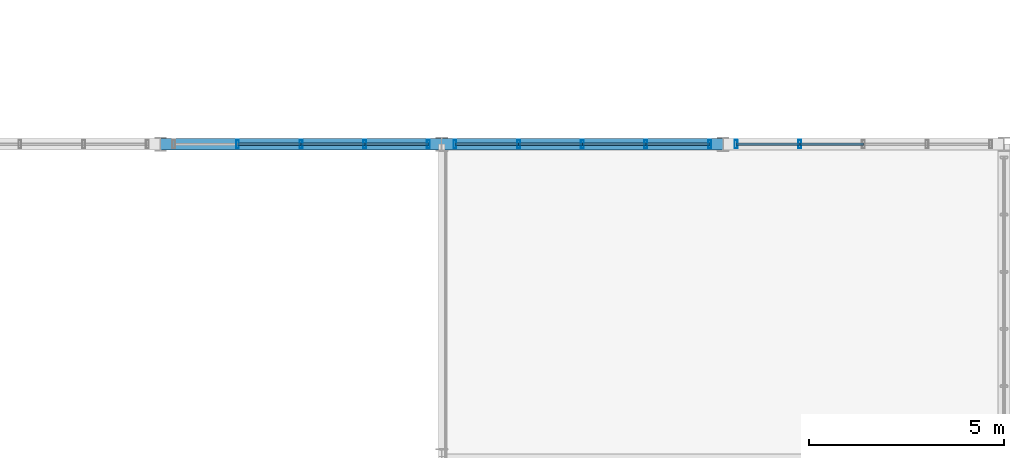
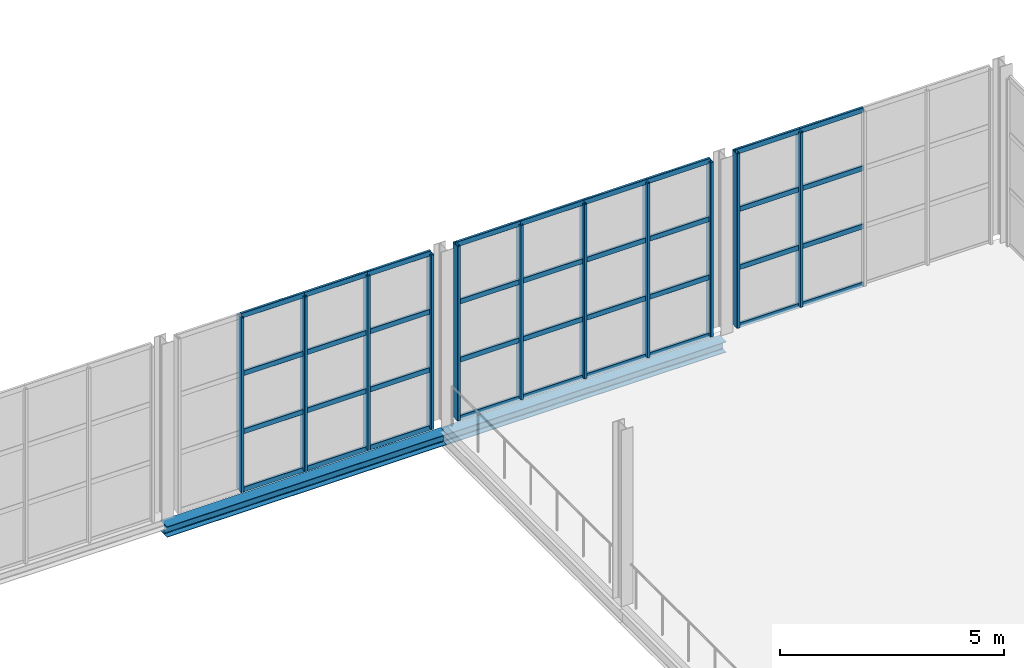
# One storey, part 66 of 143: 47 members, 2 beams, 3 elements without a shape of their own.
"""IFC4 building model written with IfcOpenShell, lengths in metres."""

from ifc_helpers import new_model, si_unit, derived_unit, direction, frame, origin, origin_2d, place, context, subcontext, project, spatial, hollow_rectangle, i_section, extrude, material, material_profile, profile_set, type_object, element, aggregate, save


model = new_model("IFC4")

# Units and contexts
model_context = context("Model", 3, precision=1e-05, world=origin(), true_north=direction((0.0, 1.0)))
body_context = subcontext(model_context, "Body", "Model", "MODEL_VIEW")
ifc_project = project(units=[si_unit("LENGTHUNIT", "METRE"), si_unit("AREAUNIT", "SQUARE_METRE"), si_unit("VOLUMEUNIT", "CUBIC_METRE"), si_unit("PLANEANGLEUNIT", "RADIAN"), si_unit("MASSUNIT", "GRAM", prefix="KILO"), derived_unit("THERMALTRANSMITTANCEUNIT", [(si_unit("POWERUNIT", "WATT"), 1), (si_unit("LENGTHUNIT", "METRE"), -2), (si_unit("THERMODYNAMICTEMPERATUREUNIT", "KELVIN"), -1)])], contexts=[model_context])

# Site, building, storey
site_placement = place(None, origin())
site = spatial("IfcSite", under=ifc_project, at=site_placement, CompositionType="ELEMENT")
building_placement = place(site_placement, origin())
building = spatial("IfcBuilding", under=site, at=building_placement, Name="Keldorne Ridge Multi-Sports Centre", CompositionType="ELEMENT")
storey_placement = place(building_placement, frame((0.0, 0.0, 4.800048828125)))
storey = spatial("IfcBuildingStorey", under=building, at=storey_placement, Name="L01", CompositionType="ELEMENT", Elevation=4.800048828125)

# Beams
ifc_material_1 = material(Name="Steel S355", Category="steel")
ifc_material_profile_1 = material_profile(ifc_material_1, i_section(OverallWidth=0.300048828125, OverallDepth=0.2900390625, WebThickness=0.008544921875, FlangeThickness=0.013916015625, FilletRadius=0.027099609375, at=origin_2d()), Name="HEA 300")
ifc_profile_set_1 = profile_set([ifc_material_profile_1], Name="Steel S355")
beam_type = type_object("IfcBeamType", Name="BM-SP-04", PredefinedType="SPANDREL", material=ifc_profile_set_1)
beam_1_placement = place(storey_placement, frame((20.39990234375, 114.0, -0.3701171875), z_axis=(1.0, 0.0, 0.0), x_axis=(0.0, 1.0, 0.0)))
element("IfcBeam", 1, at=beam_1_placement, inside=storey, type_object=beam_type, Name="Climbing spandrel L01.114.3", PredefinedType="SPANDREL", context=body_context, shape_type="SweptSolid", body=[
    extrude(i_section(OverallWidth=0.300048828125, OverallDepth=0.2900390625, WebThickness=0.008544921875, FlangeThickness=0.013916015625, FilletRadius=0.027099609375, at=origin_2d()), origin(), (0.0, 0.0, 1.0), 7.2001953125),
])
beam_2_placement = place(storey_placement, frame((27.60009765625, 114.0, -0.3701171875), z_axis=(1.0, 0.0, 0.0), x_axis=(0.0, 1.0, 0.0)))
element("IfcBeam", 2, at=beam_2_placement, inside=storey, type_object=beam_type, Name="Climbing spandrel L01.114.4", PredefinedType="SPANDREL", context=body_context, shape_type="SweptSolid", body=[
    extrude(i_section(OverallWidth=0.300048828125, OverallDepth=0.2900390625, WebThickness=0.008544921875, FlangeThickness=0.013916015625, FilletRadius=0.027099609375, at=origin_2d()), origin(), (0.0, 0.0, 1.0), 7.199951171875),
])

# Curtain wall, members
ifc_material_2 = material(Name="Anodized aluminium", Category="aluminium")
curtain_wall_type_1 = type_object("IfcCurtainWallType", Name="CW-CW-06", PredefinedType="NOTDEFINED", material=ifc_material_2)
curtain_wall_1_placement = place(storey_placement, origin())
curtain_wall_1 = element("IfcCurtainWall", 3, at=curtain_wall_1_placement, inside=storey, type_object=curtain_wall_type_1, Name="Climbing north glazing L01 046", PredefinedType="NOTDEFINED")
ifc_material_profile_2 = material_profile(ifc_material_2, hollow_rectangle(XDim=0.074951171875, YDim=0.219970703125, WallThickness=0.0048828125, InnerFilletRadius=0.0048828125, OuterFilletRadius=0.010009765625, at=origin_2d()), Name="ALU MULLION 220x75x5")
ifc_profile_set_2 = profile_set([ifc_material_profile_2], Name="Anodized aluminium")
member_type_1 = type_object("IfcMemberType", Name="MEM-ML-02", PredefinedType="MULLION", material=ifc_profile_set_2)
member_1_placement = place(storey_placement, frame((27.260009765625, 114.0, 0.0), z_axis=(0.0, 0.0, 1.0), x_axis=(1.0, 0.0, 0.0)))
member_1 = element("IfcMember", 4, at=member_1_placement, type_object=member_type_1, Name="CW-046 vertical mullion 1", PredefinedType="MULLION", context=body_context, shape_type="SweptSolid", body=[
    extrude(hollow_rectangle(XDim=0.074951171875, YDim=0.219970703125, WallThickness=0.0048828125, InnerFilletRadius=0.0048828125, OuterFilletRadius=0.010009765625, at=origin_2d()), origin(), (0.0, 0.0, 1.0), 4.75),
])
member_2_placement = place(storey_placement, frame((25.6298828125, 114.0, 0.0), z_axis=(0.0, 0.0, 1.0), x_axis=(1.0, 0.0, 0.0)))
member_2 = element("IfcMember", 5, at=member_2_placement, type_object=member_type_1, Name="CW-046 vertical mullion 2", PredefinedType="MULLION", context=body_context, shape_type="SweptSolid", body=[
    extrude(hollow_rectangle(XDim=0.074951171875, YDim=0.219970703125, WallThickness=0.0048828125, InnerFilletRadius=0.0048828125, OuterFilletRadius=0.010009765625, at=origin_2d()), origin(), (0.0, 0.0, 1.0), 4.75),
])
member_3_placement = place(storey_placement, frame((24.0, 114.0, 0.0), z_axis=(0.0, 0.0, 1.0), x_axis=(1.0, 0.0, 0.0)))
member_3 = element("IfcMember", 6, at=member_3_placement, type_object=member_type_1, Name="CW-046 vertical mullion 3", PredefinedType="MULLION", context=body_context, shape_type="SweptSolid", body=[
    extrude(hollow_rectangle(XDim=0.074951171875, YDim=0.219970703125, WallThickness=0.0048828125, InnerFilletRadius=0.0048828125, OuterFilletRadius=0.010009765625, at=origin_2d()), origin(), (0.0, 0.0, 1.0), 4.75),
])
member_4_placement = place(storey_placement, frame((22.3701171875, 114.0, 0.0), z_axis=(0.0, 0.0, 1.0), x_axis=(1.0, 0.0, 0.0)))
member_4 = element("IfcMember", 7, at=member_4_placement, type_object=member_type_1, Name="CW-046 vertical mullion 4", PredefinedType="MULLION", context=body_context, shape_type="SweptSolid", body=[
    extrude(hollow_rectangle(XDim=0.074951171875, YDim=0.219970703125, WallThickness=0.0048828125, InnerFilletRadius=0.0048828125, OuterFilletRadius=0.010009765625, at=origin_2d()), origin(), (0.0, 0.0, 1.0), 4.75),
])

curtain_wall_type_2 = type_object("IfcCurtainWallType", Name="CW-CW-02", PredefinedType="NOTDEFINED", material=ifc_material_2)
curtain_wall_2_placement = place(storey_placement, origin())
curtain_wall_2 = element("IfcCurtainWall", 8, at=curtain_wall_2_placement, inside=storey, type_object=curtain_wall_type_2, Name="Climbing north glazing L01 050", PredefinedType="NOTDEFINED")
member_5_placement = place(storey_placement, frame((34.4599609375, 114.0, 0.0), z_axis=(0.0, 0.0, 1.0), x_axis=(1.0, 0.0, 0.0)))
member_5 = element("IfcMember", 9, at=member_5_placement, type_object=member_type_1, Name="CW-050 vertical mullion 1", PredefinedType="MULLION", context=body_context, shape_type="SweptSolid", body=[
    extrude(hollow_rectangle(XDim=0.074951171875, YDim=0.219970703125, WallThickness=0.0048828125, InnerFilletRadius=0.0048828125, OuterFilletRadius=0.010009765625, at=origin_2d()), origin(), (0.0, 0.0, 1.0), 4.75),
])
member_6_placement = place(storey_placement, frame((32.830078125, 114.0, 0.0), z_axis=(0.0, 0.0, 1.0), x_axis=(1.0, 0.0, 0.0)))
member_6 = element("IfcMember", 10, at=member_6_placement, type_object=member_type_1, Name="CW-050 vertical mullion 2", PredefinedType="MULLION", context=body_context, shape_type="SweptSolid", body=[
    extrude(hollow_rectangle(XDim=0.074951171875, YDim=0.219970703125, WallThickness=0.0048828125, InnerFilletRadius=0.0048828125, OuterFilletRadius=0.010009765625, at=origin_2d()), origin(), (0.0, 0.0, 1.0), 4.75),
])
member_7_placement = place(storey_placement, frame((31.199951171875, 114.0, 0.0), z_axis=(0.0, 0.0, 1.0), x_axis=(1.0, 0.0, 0.0)))
member_7 = element("IfcMember", 11, at=member_7_placement, type_object=member_type_1, Name="CW-050 vertical mullion 3", PredefinedType="MULLION", context=body_context, shape_type="SweptSolid", body=[
    extrude(hollow_rectangle(XDim=0.074951171875, YDim=0.219970703125, WallThickness=0.0048828125, InnerFilletRadius=0.0048828125, OuterFilletRadius=0.010009765625, at=origin_2d()), origin(), (0.0, 0.0, 1.0), 4.75),
])
member_8_placement = place(storey_placement, frame((29.570068359375, 114.0, 0.0), z_axis=(0.0, 0.0, 1.0), x_axis=(1.0, 0.0, 0.0)))
member_8 = element("IfcMember", 12, at=member_8_placement, type_object=member_type_1, Name="CW-050 vertical mullion 4", PredefinedType="MULLION", context=body_context, shape_type="SweptSolid", body=[
    extrude(hollow_rectangle(XDim=0.074951171875, YDim=0.219970703125, WallThickness=0.0048828125, InnerFilletRadius=0.0048828125, OuterFilletRadius=0.010009765625, at=origin_2d()), origin(), (0.0, 0.0, 1.0), 4.75),
])
member_9_placement = place(storey_placement, frame((27.93994140625, 114.0, 0.0), z_axis=(0.0, 0.0, 1.0), x_axis=(1.0, 0.0, 0.0)))
member_9 = element("IfcMember", 13, at=member_9_placement, type_object=member_type_1, Name="CW-050 vertical mullion 5", PredefinedType="MULLION", context=body_context, shape_type="SweptSolid", body=[
    extrude(hollow_rectangle(XDim=0.074951171875, YDim=0.219970703125, WallThickness=0.0048828125, InnerFilletRadius=0.0048828125, OuterFilletRadius=0.010009765625, at=origin_2d()), origin(), (0.0, 0.0, 1.0), 4.75),
])

curtain_wall_type_3 = type_object("IfcCurtainWallType", Name="CW-CW-08", PredefinedType="NOTDEFINED", material=ifc_material_2)
curtain_wall_3_placement = place(storey_placement, origin())
curtain_wall_3 = element("IfcCurtainWall", 14, at=curtain_wall_3_placement, inside=storey, type_object=curtain_wall_type_3, Name="Climbing north glazing L01 056", PredefinedType="NOTDEFINED")
member_10_placement = place(storey_placement, frame((36.77001953125, 114.0, 0.0), z_axis=(0.0, 0.0, 1.0), x_axis=(1.0, 0.0, 0.0)))
member_10 = element("IfcMember", 15, at=member_10_placement, type_object=member_type_1, Name="CW-056 vertical mullion 4", PredefinedType="MULLION", context=body_context, shape_type="SweptSolid", body=[
    extrude(hollow_rectangle(XDim=0.074951171875, YDim=0.219970703125, WallThickness=0.0048828125, InnerFilletRadius=0.0048828125, OuterFilletRadius=0.010009765625, at=origin_2d()), origin(), (0.0, 0.0, 1.0), 4.75),
])
member_11_placement = place(storey_placement, frame((35.139892578125, 114.0, 0.0), z_axis=(0.0, 0.0, 1.0), x_axis=(1.0, 0.0, 0.0)))
member_11 = element("IfcMember", 16, at=member_11_placement, type_object=member_type_1, Name="CW-056 vertical mullion 5", PredefinedType="MULLION", context=body_context, shape_type="SweptSolid", body=[
    extrude(hollow_rectangle(XDim=0.074951171875, YDim=0.219970703125, WallThickness=0.0048828125, InnerFilletRadius=0.0048828125, OuterFilletRadius=0.010009765625, at=origin_2d()), origin(), (0.0, 0.0, 1.0), 4.75),
])

# Member
ifc_material_profile_3 = material_profile(ifc_material_2, hollow_rectangle(XDim=0.06494140625, YDim=0.139892578125, WallThickness=0.00439453125, InnerFilletRadius=0.00439453125, OuterFilletRadius=0.009033203125, at=origin_2d()), Name="ALU TRANSOM 140x65x4.5")
ifc_profile_set_3 = profile_set([ifc_material_profile_3], Name="Anodized aluminium")
member_type_2 = type_object("IfcMemberType", Name="MEM-TR-01", PredefinedType="USERDEFINED", material=ifc_profile_set_3)
member_12_placement = place(storey_placement, frame((27.260009765625, 114.0, 0.0), z_axis=(-1.0, 0.0, 0.0), x_axis=(0.0, -1.0, 0.0)))
member_12 = element("IfcMember", 17, at=member_12_placement, type_object=member_type_2, Name="CW-046 transom 1.1", ObjectType="TRANSOM", PredefinedType="USERDEFINED", context=body_context, shape_type="SweptSolid", body=[
    extrude(hollow_rectangle(XDim=0.06494140625, YDim=0.139892578125, WallThickness=0.00439453125, InnerFilletRadius=0.00439453125, OuterFilletRadius=0.009033203125, at=origin_2d()), origin(), (0.0, 0.0, 1.0), 1.630126953125),
])

member_13_placement = place(storey_placement, frame((27.260009765625, 114.0, 1.583251953125), z_axis=(-1.0, 0.0, 0.0), x_axis=(0.0, -1.0, 0.0)))
member_13 = element("IfcMember", 18, at=member_13_placement, type_object=member_type_2, Name="CW-046 transom 1.2", ObjectType="TRANSOM", PredefinedType="USERDEFINED", context=body_context, shape_type="SweptSolid", body=[
    extrude(hollow_rectangle(XDim=0.06494140625, YDim=0.139892578125, WallThickness=0.00439453125, InnerFilletRadius=0.00439453125, OuterFilletRadius=0.009033203125, at=origin_2d()), origin(), (0.0, 0.0, 1.0), 1.630126953125),
])

member_14_placement = place(storey_placement, frame((27.260009765625, 114.0, 3.166748046875), z_axis=(-1.0, 0.0, 0.0), x_axis=(0.0, -1.0, 0.0)))
member_14 = element("IfcMember", 19, at=member_14_placement, type_object=member_type_2, Name="CW-046 transom 1.3", ObjectType="TRANSOM", PredefinedType="USERDEFINED", context=body_context, shape_type="SweptSolid", body=[
    extrude(hollow_rectangle(XDim=0.06494140625, YDim=0.139892578125, WallThickness=0.00439453125, InnerFilletRadius=0.00439453125, OuterFilletRadius=0.009033203125, at=origin_2d()), origin(), (0.0, 0.0, 1.0), 1.630126953125),
])

member_15_placement = place(storey_placement, frame((27.260009765625, 114.0, 4.75), z_axis=(-1.0, 0.0, 0.0), x_axis=(0.0, -1.0, 0.0)))
member_15 = element("IfcMember", 20, at=member_15_placement, type_object=member_type_2, Name="CW-046 transom 1.4", ObjectType="TRANSOM", PredefinedType="USERDEFINED", context=body_context, shape_type="SweptSolid", body=[
    extrude(hollow_rectangle(XDim=0.06494140625, YDim=0.139892578125, WallThickness=0.00439453125, InnerFilletRadius=0.00439453125, OuterFilletRadius=0.009033203125, at=origin_2d()), origin(), (0.0, 0.0, 1.0), 1.630126953125),
])

member_16_placement = place(storey_placement, frame((25.6298828125, 114.0, 0.0), z_axis=(-1.0, 0.0, 0.0), x_axis=(0.0, -1.0, 0.0)))
member_16 = element("IfcMember", 21, at=member_16_placement, type_object=member_type_2, Name="CW-046 transom 2.1", ObjectType="TRANSOM", PredefinedType="USERDEFINED", context=body_context, shape_type="SweptSolid", body=[
    extrude(hollow_rectangle(XDim=0.06494140625, YDim=0.139892578125, WallThickness=0.00439453125, InnerFilletRadius=0.00439453125, OuterFilletRadius=0.009033203125, at=origin_2d()), origin(), (0.0, 0.0, 1.0), 1.6298828125),
])

member_17_placement = place(storey_placement, frame((25.6298828125, 114.0, 1.583251953125), z_axis=(-1.0, 0.0, 0.0), x_axis=(0.0, -1.0, 0.0)))
member_17 = element("IfcMember", 22, at=member_17_placement, type_object=member_type_2, Name="CW-046 transom 2.2", ObjectType="TRANSOM", PredefinedType="USERDEFINED", context=body_context, shape_type="SweptSolid", body=[
    extrude(hollow_rectangle(XDim=0.06494140625, YDim=0.139892578125, WallThickness=0.00439453125, InnerFilletRadius=0.00439453125, OuterFilletRadius=0.009033203125, at=origin_2d()), origin(), (0.0, 0.0, 1.0), 1.6298828125),
])

member_18_placement = place(storey_placement, frame((25.6298828125, 114.0, 3.166748046875), z_axis=(-1.0, 0.0, 0.0), x_axis=(0.0, -1.0, 0.0)))
member_18 = element("IfcMember", 23, at=member_18_placement, type_object=member_type_2, Name="CW-046 transom 2.3", ObjectType="TRANSOM", PredefinedType="USERDEFINED", context=body_context, shape_type="SweptSolid", body=[
    extrude(hollow_rectangle(XDim=0.06494140625, YDim=0.139892578125, WallThickness=0.00439453125, InnerFilletRadius=0.00439453125, OuterFilletRadius=0.009033203125, at=origin_2d()), origin(), (0.0, 0.0, 1.0), 1.6298828125),
])

member_19_placement = place(storey_placement, frame((25.6298828125, 114.0, 4.75), z_axis=(-1.0, 0.0, 0.0), x_axis=(0.0, -1.0, 0.0)))
member_19 = element("IfcMember", 24, at=member_19_placement, type_object=member_type_2, Name="CW-046 transom 2.4", ObjectType="TRANSOM", PredefinedType="USERDEFINED", context=body_context, shape_type="SweptSolid", body=[
    extrude(hollow_rectangle(XDim=0.06494140625, YDim=0.139892578125, WallThickness=0.00439453125, InnerFilletRadius=0.00439453125, OuterFilletRadius=0.009033203125, at=origin_2d()), origin(), (0.0, 0.0, 1.0), 1.6298828125),
])

member_20_placement = place(storey_placement, frame((24.0, 114.0, 0.0), z_axis=(-1.0, 0.0, 0.0), x_axis=(0.0, -1.0, 0.0)))
member_20 = element("IfcMember", 25, at=member_20_placement, type_object=member_type_2, Name="CW-046 transom 3.1", ObjectType="TRANSOM", PredefinedType="USERDEFINED", context=body_context, shape_type="SweptSolid", body=[
    extrude(hollow_rectangle(XDim=0.06494140625, YDim=0.139892578125, WallThickness=0.00439453125, InnerFilletRadius=0.00439453125, OuterFilletRadius=0.009033203125, at=origin_2d()), origin(), (0.0, 0.0, 1.0), 1.6298828125),
])

member_21_placement = place(storey_placement, frame((24.0, 114.0, 1.583251953125), z_axis=(-1.0, 0.0, 0.0), x_axis=(0.0, -1.0, 0.0)))
member_21 = element("IfcMember", 26, at=member_21_placement, type_object=member_type_2, Name="CW-046 transom 3.2", ObjectType="TRANSOM", PredefinedType="USERDEFINED", context=body_context, shape_type="SweptSolid", body=[
    extrude(hollow_rectangle(XDim=0.06494140625, YDim=0.139892578125, WallThickness=0.00439453125, InnerFilletRadius=0.00439453125, OuterFilletRadius=0.009033203125, at=origin_2d()), origin(), (0.0, 0.0, 1.0), 1.6298828125),
])

member_22_placement = place(storey_placement, frame((24.0, 114.0, 3.166748046875), z_axis=(-1.0, 0.0, 0.0), x_axis=(0.0, -1.0, 0.0)))
member_22 = element("IfcMember", 27, at=member_22_placement, type_object=member_type_2, Name="CW-046 transom 3.3", ObjectType="TRANSOM", PredefinedType="USERDEFINED", context=body_context, shape_type="SweptSolid", body=[
    extrude(hollow_rectangle(XDim=0.06494140625, YDim=0.139892578125, WallThickness=0.00439453125, InnerFilletRadius=0.00439453125, OuterFilletRadius=0.009033203125, at=origin_2d()), origin(), (0.0, 0.0, 1.0), 1.6298828125),
])

member_23_placement = place(storey_placement, frame((24.0, 114.0, 4.75), z_axis=(-1.0, 0.0, 0.0), x_axis=(0.0, -1.0, 0.0)))
member_23 = element("IfcMember", 28, at=member_23_placement, type_object=member_type_2, Name="CW-046 transom 3.4", ObjectType="TRANSOM", PredefinedType="USERDEFINED", context=body_context, shape_type="SweptSolid", body=[
    extrude(hollow_rectangle(XDim=0.06494140625, YDim=0.139892578125, WallThickness=0.00439453125, InnerFilletRadius=0.00439453125, OuterFilletRadius=0.009033203125, at=origin_2d()), origin(), (0.0, 0.0, 1.0), 1.6298828125),
])

aggregate(curtain_wall_1, [member_1, member_2, member_3, member_4, member_12, member_13, member_14, member_15, member_16, member_17, member_18, member_19, member_20, member_21, member_22, member_23])

member_24_placement = place(storey_placement, frame((34.4599609375, 114.0, 0.0), z_axis=(-1.0, 0.0, 0.0), x_axis=(0.0, -1.0, 0.0)))
member_24 = element("IfcMember", 29, at=member_24_placement, type_object=member_type_2, Name="CW-050 transom 1.1", ObjectType="TRANSOM", PredefinedType="USERDEFINED", context=body_context, shape_type="SweptSolid", body=[
    extrude(hollow_rectangle(XDim=0.06494140625, YDim=0.139892578125, WallThickness=0.00439453125, InnerFilletRadius=0.00439453125, OuterFilletRadius=0.009033203125, at=origin_2d()), origin(), (0.0, 0.0, 1.0), 1.6298828125),
])

member_25_placement = place(storey_placement, frame((34.4599609375, 114.0, 1.583251953125), z_axis=(-1.0, 0.0, 0.0), x_axis=(0.0, -1.0, 0.0)))
member_25 = element("IfcMember", 30, at=member_25_placement, type_object=member_type_2, Name="CW-050 transom 1.2", ObjectType="TRANSOM", PredefinedType="USERDEFINED", context=body_context, shape_type="SweptSolid", body=[
    extrude(hollow_rectangle(XDim=0.06494140625, YDim=0.139892578125, WallThickness=0.00439453125, InnerFilletRadius=0.00439453125, OuterFilletRadius=0.009033203125, at=origin_2d()), origin(), (0.0, 0.0, 1.0), 1.6298828125),
])

member_26_placement = place(storey_placement, frame((34.4599609375, 114.0, 3.166748046875), z_axis=(-1.0, 0.0, 0.0), x_axis=(0.0, -1.0, 0.0)))
member_26 = element("IfcMember", 31, at=member_26_placement, type_object=member_type_2, Name="CW-050 transom 1.3", ObjectType="TRANSOM", PredefinedType="USERDEFINED", context=body_context, shape_type="SweptSolid", body=[
    extrude(hollow_rectangle(XDim=0.06494140625, YDim=0.139892578125, WallThickness=0.00439453125, InnerFilletRadius=0.00439453125, OuterFilletRadius=0.009033203125, at=origin_2d()), origin(), (0.0, 0.0, 1.0), 1.6298828125),
])

member_27_placement = place(storey_placement, frame((34.4599609375, 114.0, 4.75), z_axis=(-1.0, 0.0, 0.0), x_axis=(0.0, -1.0, 0.0)))
member_27 = element("IfcMember", 32, at=member_27_placement, type_object=member_type_2, Name="CW-050 transom 1.4", ObjectType="TRANSOM", PredefinedType="USERDEFINED", context=body_context, shape_type="SweptSolid", body=[
    extrude(hollow_rectangle(XDim=0.06494140625, YDim=0.139892578125, WallThickness=0.00439453125, InnerFilletRadius=0.00439453125, OuterFilletRadius=0.009033203125, at=origin_2d()), origin(), (0.0, 0.0, 1.0), 1.6298828125),
])

member_28_placement = place(storey_placement, frame((32.830078125, 114.0, 0.0), z_axis=(-1.0, 0.0, 0.0), x_axis=(0.0, -1.0, 0.0)))
member_28 = element("IfcMember", 33, at=member_28_placement, type_object=member_type_2, Name="CW-050 transom 2.1", ObjectType="TRANSOM", PredefinedType="USERDEFINED", context=body_context, shape_type="SweptSolid", body=[
    extrude(hollow_rectangle(XDim=0.06494140625, YDim=0.139892578125, WallThickness=0.00439453125, InnerFilletRadius=0.00439453125, OuterFilletRadius=0.009033203125, at=origin_2d()), origin(), (0.0, 0.0, 1.0), 1.630126953125),
])

member_29_placement = place(storey_placement, frame((32.830078125, 114.0, 1.583251953125), z_axis=(-1.0, 0.0, 0.0), x_axis=(0.0, -1.0, 0.0)))
member_29 = element("IfcMember", 34, at=member_29_placement, type_object=member_type_2, Name="CW-050 transom 2.2", ObjectType="TRANSOM", PredefinedType="USERDEFINED", context=body_context, shape_type="SweptSolid", body=[
    extrude(hollow_rectangle(XDim=0.06494140625, YDim=0.139892578125, WallThickness=0.00439453125, InnerFilletRadius=0.00439453125, OuterFilletRadius=0.009033203125, at=origin_2d()), origin(), (0.0, 0.0, 1.0), 1.630126953125),
])

member_30_placement = place(storey_placement, frame((32.830078125, 114.0, 3.166748046875), z_axis=(-1.0, 0.0, 0.0), x_axis=(0.0, -1.0, 0.0)))
member_30 = element("IfcMember", 35, at=member_30_placement, type_object=member_type_2, Name="CW-050 transom 2.3", ObjectType="TRANSOM", PredefinedType="USERDEFINED", context=body_context, shape_type="SweptSolid", body=[
    extrude(hollow_rectangle(XDim=0.06494140625, YDim=0.139892578125, WallThickness=0.00439453125, InnerFilletRadius=0.00439453125, OuterFilletRadius=0.009033203125, at=origin_2d()), origin(), (0.0, 0.0, 1.0), 1.630126953125),
])

member_31_placement = place(storey_placement, frame((32.830078125, 114.0, 4.75), z_axis=(-1.0, 0.0, 0.0), x_axis=(0.0, -1.0, 0.0)))
member_31 = element("IfcMember", 36, at=member_31_placement, type_object=member_type_2, Name="CW-050 transom 2.4", ObjectType="TRANSOM", PredefinedType="USERDEFINED", context=body_context, shape_type="SweptSolid", body=[
    extrude(hollow_rectangle(XDim=0.06494140625, YDim=0.139892578125, WallThickness=0.00439453125, InnerFilletRadius=0.00439453125, OuterFilletRadius=0.009033203125, at=origin_2d()), origin(), (0.0, 0.0, 1.0), 1.630126953125),
])

member_32_placement = place(storey_placement, frame((31.199951171875, 114.0, 0.0), z_axis=(-1.0, 0.0, 0.0), x_axis=(0.0, -1.0, 0.0)))
member_32 = element("IfcMember", 37, at=member_32_placement, type_object=member_type_2, Name="CW-050 transom 3.1", ObjectType="TRANSOM", PredefinedType="USERDEFINED", context=body_context, shape_type="SweptSolid", body=[
    extrude(hollow_rectangle(XDim=0.06494140625, YDim=0.139892578125, WallThickness=0.00439453125, InnerFilletRadius=0.00439453125, OuterFilletRadius=0.009033203125, at=origin_2d()), origin(), (0.0, 0.0, 1.0), 1.6298828125),
])

member_33_placement = place(storey_placement, frame((31.199951171875, 114.0, 1.583251953125), z_axis=(-1.0, 0.0, 0.0), x_axis=(0.0, -1.0, 0.0)))
member_33 = element("IfcMember", 38, at=member_33_placement, type_object=member_type_2, Name="CW-050 transom 3.2", ObjectType="TRANSOM", PredefinedType="USERDEFINED", context=body_context, shape_type="SweptSolid", body=[
    extrude(hollow_rectangle(XDim=0.06494140625, YDim=0.139892578125, WallThickness=0.00439453125, InnerFilletRadius=0.00439453125, OuterFilletRadius=0.009033203125, at=origin_2d()), origin(), (0.0, 0.0, 1.0), 1.6298828125),
])

member_34_placement = place(storey_placement, frame((31.199951171875, 114.0, 3.166748046875), z_axis=(-1.0, 0.0, 0.0), x_axis=(0.0, -1.0, 0.0)))
member_34 = element("IfcMember", 39, at=member_34_placement, type_object=member_type_2, Name="CW-050 transom 3.3", ObjectType="TRANSOM", PredefinedType="USERDEFINED", context=body_context, shape_type="SweptSolid", body=[
    extrude(hollow_rectangle(XDim=0.06494140625, YDim=0.139892578125, WallThickness=0.00439453125, InnerFilletRadius=0.00439453125, OuterFilletRadius=0.009033203125, at=origin_2d()), origin(), (0.0, 0.0, 1.0), 1.6298828125),
])

member_35_placement = place(storey_placement, frame((31.199951171875, 114.0, 4.75), z_axis=(-1.0, 0.0, 0.0), x_axis=(0.0, -1.0, 0.0)))
member_35 = element("IfcMember", 40, at=member_35_placement, type_object=member_type_2, Name="CW-050 transom 3.4", ObjectType="TRANSOM", PredefinedType="USERDEFINED", context=body_context, shape_type="SweptSolid", body=[
    extrude(hollow_rectangle(XDim=0.06494140625, YDim=0.139892578125, WallThickness=0.00439453125, InnerFilletRadius=0.00439453125, OuterFilletRadius=0.009033203125, at=origin_2d()), origin(), (0.0, 0.0, 1.0), 1.6298828125),
])

member_36_placement = place(storey_placement, frame((29.570068359375, 114.0, 0.0), z_axis=(-1.0, 0.0, 0.0), x_axis=(0.0, -1.0, 0.0)))
member_36 = element("IfcMember", 41, at=member_36_placement, type_object=member_type_2, Name="CW-050 transom 4.1", ObjectType="TRANSOM", PredefinedType="USERDEFINED", context=body_context, shape_type="SweptSolid", body=[
    extrude(hollow_rectangle(XDim=0.06494140625, YDim=0.139892578125, WallThickness=0.00439453125, InnerFilletRadius=0.00439453125, OuterFilletRadius=0.009033203125, at=origin_2d()), origin(), (0.0, 0.0, 1.0), 1.630126953125),
])

member_37_placement = place(storey_placement, frame((29.570068359375, 114.0, 1.583251953125), z_axis=(-1.0, 0.0, 0.0), x_axis=(0.0, -1.0, 0.0)))
member_37 = element("IfcMember", 42, at=member_37_placement, type_object=member_type_2, Name="CW-050 transom 4.2", ObjectType="TRANSOM", PredefinedType="USERDEFINED", context=body_context, shape_type="SweptSolid", body=[
    extrude(hollow_rectangle(XDim=0.06494140625, YDim=0.139892578125, WallThickness=0.00439453125, InnerFilletRadius=0.00439453125, OuterFilletRadius=0.009033203125, at=origin_2d()), origin(), (0.0, 0.0, 1.0), 1.630126953125),
])

member_38_placement = place(storey_placement, frame((29.570068359375, 114.0, 3.166748046875), z_axis=(-1.0, 0.0, 0.0), x_axis=(0.0, -1.0, 0.0)))
member_38 = element("IfcMember", 43, at=member_38_placement, type_object=member_type_2, Name="CW-050 transom 4.3", ObjectType="TRANSOM", PredefinedType="USERDEFINED", context=body_context, shape_type="SweptSolid", body=[
    extrude(hollow_rectangle(XDim=0.06494140625, YDim=0.139892578125, WallThickness=0.00439453125, InnerFilletRadius=0.00439453125, OuterFilletRadius=0.009033203125, at=origin_2d()), origin(), (0.0, 0.0, 1.0), 1.630126953125),
])

member_39_placement = place(storey_placement, frame((29.570068359375, 114.0, 4.75), z_axis=(-1.0, 0.0, 0.0), x_axis=(0.0, -1.0, 0.0)))
member_39 = element("IfcMember", 44, at=member_39_placement, type_object=member_type_2, Name="CW-050 transom 4.4", ObjectType="TRANSOM", PredefinedType="USERDEFINED", context=body_context, shape_type="SweptSolid", body=[
    extrude(hollow_rectangle(XDim=0.06494140625, YDim=0.139892578125, WallThickness=0.00439453125, InnerFilletRadius=0.00439453125, OuterFilletRadius=0.009033203125, at=origin_2d()), origin(), (0.0, 0.0, 1.0), 1.630126953125),
])

aggregate(curtain_wall_2, [member_5, member_6, member_7, member_8, member_9, member_24, member_25, member_26, member_27, member_28, member_29, member_30, member_31, member_32, member_33, member_34, member_35, member_36, member_37, member_38, member_39])

member_40_placement = place(storey_placement, frame((38.39990234375, 114.0, 0.0), z_axis=(-1.0, 0.0, 0.0), x_axis=(0.0, -1.0, 0.0)))
member_40 = element("IfcMember", 45, at=member_40_placement, type_object=member_type_2, Name="CW-056 transom 3.1", ObjectType="TRANSOM", PredefinedType="USERDEFINED", context=body_context, shape_type="SweptSolid", body=[
    extrude(hollow_rectangle(XDim=0.06494140625, YDim=0.139892578125, WallThickness=0.00439453125, InnerFilletRadius=0.00439453125, OuterFilletRadius=0.009033203125, at=origin_2d()), origin(), (0.0, 0.0, 1.0), 1.6298828125),
])

member_41_placement = place(storey_placement, frame((38.39990234375, 114.0, 1.583251953125), z_axis=(-1.0, 0.0, 0.0), x_axis=(0.0, -1.0, 0.0)))
member_41 = element("IfcMember", 46, at=member_41_placement, type_object=member_type_2, Name="CW-056 transom 3.2", ObjectType="TRANSOM", PredefinedType="USERDEFINED", context=body_context, shape_type="SweptSolid", body=[
    extrude(hollow_rectangle(XDim=0.06494140625, YDim=0.139892578125, WallThickness=0.00439453125, InnerFilletRadius=0.00439453125, OuterFilletRadius=0.009033203125, at=origin_2d()), origin(), (0.0, 0.0, 1.0), 1.6298828125),
])

member_42_placement = place(storey_placement, frame((38.39990234375, 114.0, 3.166748046875), z_axis=(-1.0, 0.0, 0.0), x_axis=(0.0, -1.0, 0.0)))
member_42 = element("IfcMember", 47, at=member_42_placement, type_object=member_type_2, Name="CW-056 transom 3.3", ObjectType="TRANSOM", PredefinedType="USERDEFINED", context=body_context, shape_type="SweptSolid", body=[
    extrude(hollow_rectangle(XDim=0.06494140625, YDim=0.139892578125, WallThickness=0.00439453125, InnerFilletRadius=0.00439453125, OuterFilletRadius=0.009033203125, at=origin_2d()), origin(), (0.0, 0.0, 1.0), 1.6298828125),
])

member_43_placement = place(storey_placement, frame((38.39990234375, 114.0, 4.75), z_axis=(-1.0, 0.0, 0.0), x_axis=(0.0, -1.0, 0.0)))
member_43 = element("IfcMember", 48, at=member_43_placement, type_object=member_type_2, Name="CW-056 transom 3.4", ObjectType="TRANSOM", PredefinedType="USERDEFINED", context=body_context, shape_type="SweptSolid", body=[
    extrude(hollow_rectangle(XDim=0.06494140625, YDim=0.139892578125, WallThickness=0.00439453125, InnerFilletRadius=0.00439453125, OuterFilletRadius=0.009033203125, at=origin_2d()), origin(), (0.0, 0.0, 1.0), 1.6298828125),
])

member_44_placement = place(storey_placement, frame((36.77001953125, 114.0, 0.0), z_axis=(-1.0, 0.0, 0.0), x_axis=(0.0, -1.0, 0.0)))
member_44 = element("IfcMember", 49, at=member_44_placement, type_object=member_type_2, Name="CW-056 transom 4.1", ObjectType="TRANSOM", PredefinedType="USERDEFINED", context=body_context, shape_type="SweptSolid", body=[
    extrude(hollow_rectangle(XDim=0.06494140625, YDim=0.139892578125, WallThickness=0.00439453125, InnerFilletRadius=0.00439453125, OuterFilletRadius=0.009033203125, at=origin_2d()), origin(), (0.0, 0.0, 1.0), 1.630126953125),
])

member_45_placement = place(storey_placement, frame((36.77001953125, 114.0, 1.583251953125), z_axis=(-1.0, 0.0, 0.0), x_axis=(0.0, -1.0, 0.0)))
member_45 = element("IfcMember", 50, at=member_45_placement, type_object=member_type_2, Name="CW-056 transom 4.2", ObjectType="TRANSOM", PredefinedType="USERDEFINED", context=body_context, shape_type="SweptSolid", body=[
    extrude(hollow_rectangle(XDim=0.06494140625, YDim=0.139892578125, WallThickness=0.00439453125, InnerFilletRadius=0.00439453125, OuterFilletRadius=0.009033203125, at=origin_2d()), origin(), (0.0, 0.0, 1.0), 1.630126953125),
])

member_46_placement = place(storey_placement, frame((36.77001953125, 114.0, 3.166748046875), z_axis=(-1.0, 0.0, 0.0), x_axis=(0.0, -1.0, 0.0)))
member_46 = element("IfcMember", 51, at=member_46_placement, type_object=member_type_2, Name="CW-056 transom 4.3", ObjectType="TRANSOM", PredefinedType="USERDEFINED", context=body_context, shape_type="SweptSolid", body=[
    extrude(hollow_rectangle(XDim=0.06494140625, YDim=0.139892578125, WallThickness=0.00439453125, InnerFilletRadius=0.00439453125, OuterFilletRadius=0.009033203125, at=origin_2d()), origin(), (0.0, 0.0, 1.0), 1.630126953125),
])

member_47_placement = place(storey_placement, frame((36.77001953125, 114.0, 4.75), z_axis=(-1.0, 0.0, 0.0), x_axis=(0.0, -1.0, 0.0)))
member_47 = element("IfcMember", 52, at=member_47_placement, type_object=member_type_2, Name="CW-056 transom 4.4", ObjectType="TRANSOM", PredefinedType="USERDEFINED", context=body_context, shape_type="SweptSolid", body=[
    extrude(hollow_rectangle(XDim=0.06494140625, YDim=0.139892578125, WallThickness=0.00439453125, InnerFilletRadius=0.00439453125, OuterFilletRadius=0.009033203125, at=origin_2d()), origin(), (0.0, 0.0, 1.0), 1.630126953125),
])

aggregate(curtain_wall_3, [member_10, member_11, member_40, member_41, member_42, member_43, member_44, member_45, member_46, member_47])

save(model, "model.ifc")
